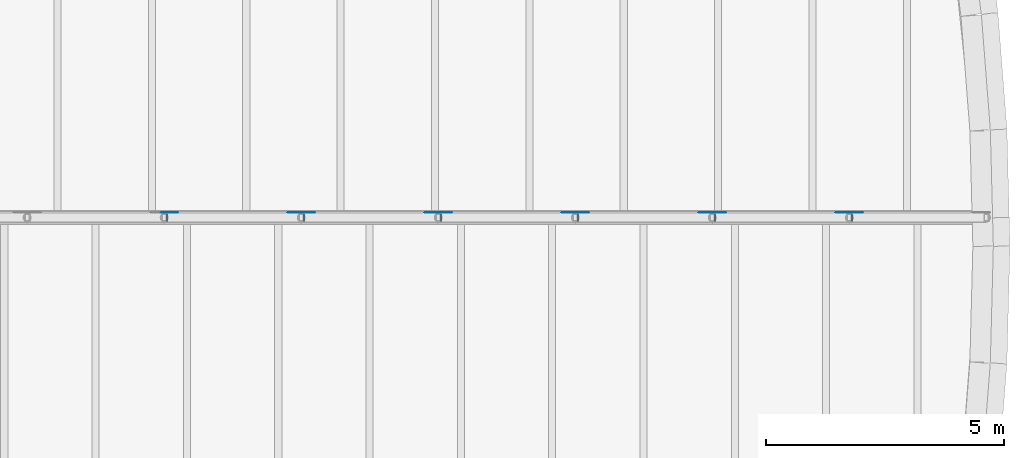
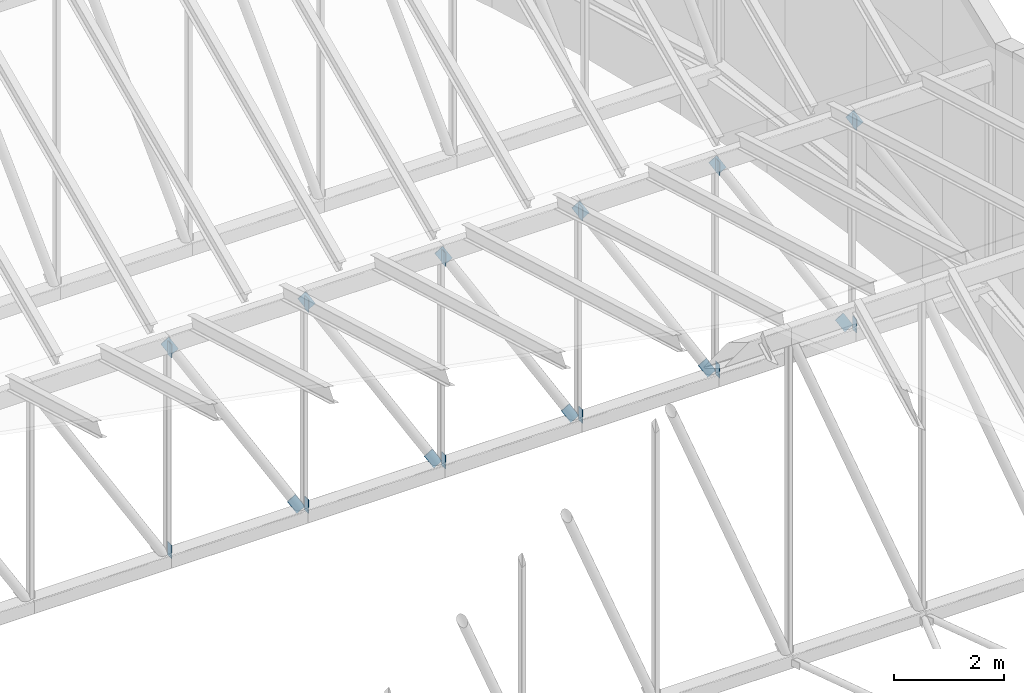
# One storey, part 57 of 68: 23 discrete accessories.
"""IFC4 building model written with IfcOpenShell, lengths in metres."""

from ifc_helpers import new_model, si_unit, direction, frame, origin, origin_2d, place, context, subcontext, project, spatial, rectangle, extrude, material, material_profile, profile_set, type_object, element, save


model = new_model("IFC4")

# Units and contexts
model_context = context("Model", 3, precision=1e-05, world=origin(), true_north=direction((0.0, 1.0)))
body_context = subcontext(model_context, "Body", "Model", "MODEL_VIEW")
ifc_project = project(units=[si_unit("LENGTHUNIT", "METRE"), si_unit("AREAUNIT", "SQUARE_METRE"), si_unit("VOLUMEUNIT", "CUBIC_METRE"), si_unit("PLANEANGLEUNIT", "RADIAN"), si_unit("MASSUNIT", "GRAM", prefix="KILO")], contexts=[model_context])

# Site, building, storey
site_placement = place(None, origin())
site = spatial("IfcSite", under=ifc_project, at=site_placement, CompositionType="ELEMENT")
building_placement = place(site_placement, origin())
building = spatial("IfcBuilding", under=site, at=building_placement, Name="Larchfold Concert Hall", CompositionType="ELEMENT")
storey_placement = place(building_placement, frame((0.0, 0.0, 28.800048828125)))
storey = spatial("IfcBuildingStorey", under=building, at=storey_placement, Name="L06", CompositionType="ELEMENT", Elevation=28.800048828125)

# Discrete accessories
ifc_material_1 = material(Name="Steel S355 galvanised bracket", Category="steel")
ifc_material_profile_1 = material_profile(ifc_material_1, rectangle(XDim=0.011962890625, YDim=0.14990234375, at=origin_2d()))
ifc_profile_set_1 = profile_set([ifc_material_profile_1], Name="Steel S355 galvanised bracket")
discrete_accessory_type_1 = type_object("IfcDiscreteAccessoryType", Name="Gusset plate 12x150", PredefinedType="BRACKET", material=ifc_profile_set_1)
for number, where, z_axis, x_axis, name in (
    (1, (49.857421875, 85.199951171875, 4.780029296875), (0.0, 0.0, -1.0), (1.0, 0.0, 0.0), "Gusset plate GP0327"),
    (2, (49.857421875, 85.199951171875, 0.320068359375), (0.0, 0.0, -1.0), (1.0, 0.0, 0.0), "Gusset plate GP0328"),
    (3, (52.73779296875, 85.199951171875, 4.780029296875), (0.0, 0.0, -1.0), (1.0, 0.0, 0.0), "Gusset plate GP0329"),
    (4, (52.73779296875, 85.199951171875, 0.320068359375), (0.0, 0.0, -1.0), (1.0, 0.0, 0.0), "Gusset plate GP0330"),
    (5, (55.618408203125, 85.199951171875, 4.800048828125), (0.0, 0.0, -1.0), (1.0, 0.0, 0.0), "Gusset plate GP0331"),
    (6, (55.618408203125, 85.199951171875, 0.300048828125), (0.0, 0.0, -1.0), (1.0, 0.0, 0.0), "Gusset plate GP0332"),
    (7, (58.4990234375, 85.199951171875, 4.800048828125), (0.0, 0.0, -1.0), (1.0, 0.0, 0.0), "Gusset plate GP0333"),
    (8, (58.4990234375, 85.199951171875, 0.300048828125), (0.0, 0.0, -1.0), (1.0, 0.0, 0.0), "Gusset plate GP0334"),
    (9, (61.379638671875, 85.199951171875, 4.800048828125), (0.0, 0.0, -1.0), (1.0, 0.0, 0.0), "Gusset plate GP0335"),
    (10, (61.379638671875, 85.199951171875, 0.300048828125), (0.0, 0.0, -1.0), (1.0, 0.0, 0.0), "Gusset plate GP0336"),
    (11, (64.260009765625, 85.199951171875, 4.800048828125), (0.0, 0.0, -1.0), (1.0, 0.0, 0.0), "Gusset plate GP0337"),
    (12, (64.260009765625, 85.199951171875, 0.300048828125), (0.0, 0.0, -1.0), (1.0, 0.0, 0.0), "Gusset plate GP0338"),
):
    element("IfcDiscreteAccessory", number, at=place(storey_placement, frame(where, z_axis=z_axis, x_axis=x_axis)), inside=storey, type_object=discrete_accessory_type_1, Name=name, PredefinedType="BRACKET", context=body_context, shape_type="SweptSolid", body=[
        extrude(rectangle(XDim=0.011962890625, YDim=0.14990234375, at=origin_2d()), origin(), (0.0, 0.0, 1.0), 0.300048828125),
    ])
ifc_material_2 = material(Name="Steel S355 galvanised bracket", Category="steel")
ifc_material_profile_2 = material_profile(ifc_material_2, rectangle(XDim=0.011962890625, YDim=0.199951171875, at=origin_2d()))
ifc_profile_set_2 = profile_set([ifc_material_profile_2], Name="Steel S355 galvanised bracket")
discrete_accessory_type_2 = type_object("IfcDiscreteAccessoryType", Name="Gusset plate 12x200", PredefinedType="BRACKET", material=ifc_profile_set_2)
for number, where, z_axis, x_axis, name in (
    (13, (49.811767578125, 85.302734375, 4.782958984375), (0.514681027104, 0.0, -0.857381735482), (0.0, 1.0, 0.0), "Gusset plate GP0363"),
    (14, (52.47216796875, 85.302734375, 0.349365234375), (0.514681027104, 0.0, -0.857381735482), (0.0, 1.0, 0.0), "Gusset plate GP0364"),
    (15, (52.692138671875, 85.302734375, 4.782958984375), (0.514681027104, 0.0, -0.857381735482), (0.0, 1.0, 0.0), "Gusset plate GP0365"),
    (16, (55.352783203125, 85.302734375, 0.349365234375), (0.514681027104, 0.0, -0.857381735482), (0.0, 1.0, 0.0), "Gusset plate GP0366"),
    (17, (55.57275390625, 85.302734375, 4.782958984375), (0.514681027104, 0.0, -0.857381735482), (0.0, 1.0, 0.0), "Gusset plate GP0367"),
    (18, (58.2333984375, 85.302734375, 0.349365234375), (0.514681027104, 0.0, -0.857381735482), (0.0, 1.0, 0.0), "Gusset plate GP0368"),
    (19, (58.453369140625, 85.302734375, 4.782958984375), (0.514681027104, 0.0, -0.857381735482), (0.0, 1.0, 0.0), "Gusset plate GP0369"),
    (20, (61.114013671875, 85.302734375, 0.349365234375), (0.514681027104, 0.0, -0.857381735482), (0.0, 1.0, 0.0), "Gusset plate GP0370"),
    (21, (61.333984375, 85.302734375, 4.782958984375), (0.514681027104, 0.0, -0.857381735482), (0.0, 1.0, 0.0), "Gusset plate GP0371"),
    (22, (63.994384765625, 85.302734375, 0.349365234375), (0.514681027104, 0.0, -0.857381735482), (0.0, 1.0, 0.0), "Gusset plate GP0372"),
    (23, (64.21435546875, 85.302734375, 4.782958984375), (0.514681027104, 0.0, -0.857381735482), (0.0, 1.0, 0.0), "Gusset plate GP0373"),
):
    element("IfcDiscreteAccessory", number, at=place(storey_placement, frame(where, z_axis=z_axis, x_axis=x_axis)), inside=storey, type_object=discrete_accessory_type_2, Name=name, PredefinedType="BRACKET", context=body_context, shape_type="SweptSolid", body=[
        extrude(rectangle(XDim=0.011962890625, YDim=0.199951171875, at=origin_2d()), origin(), (0.0, 0.0, 1.0), 0.387451171875),
    ])

save(model, "model.ifc")
